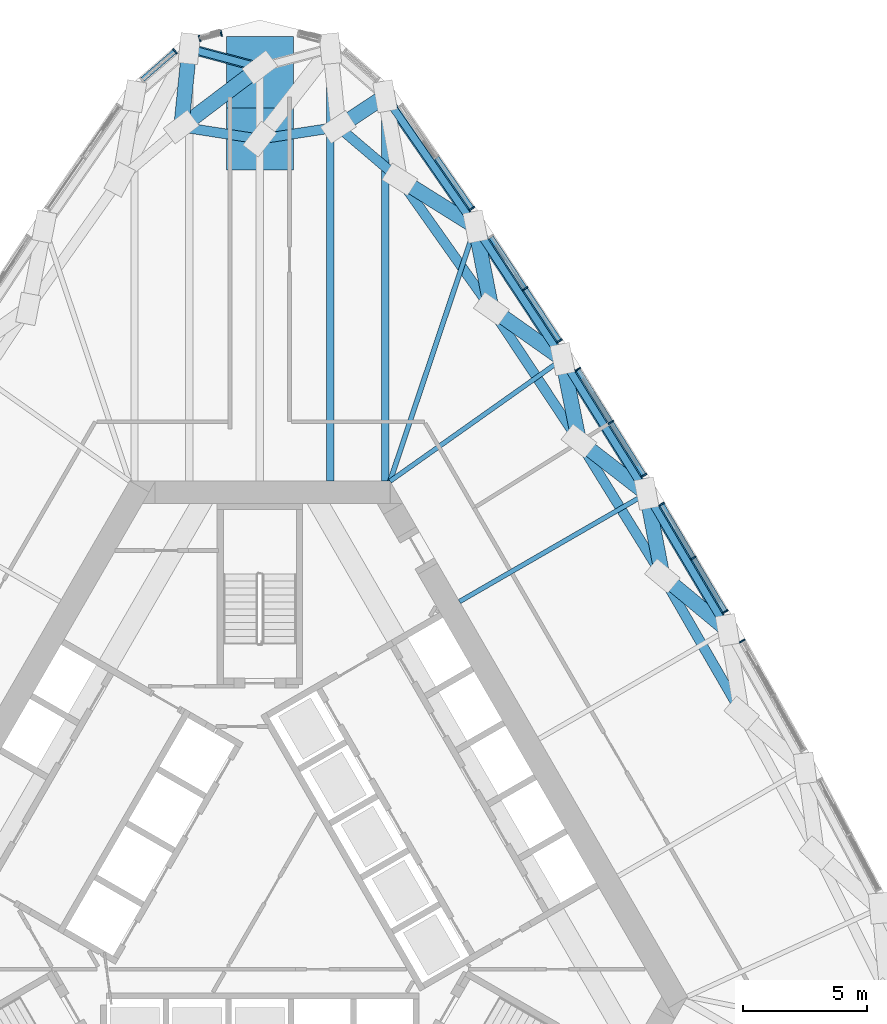
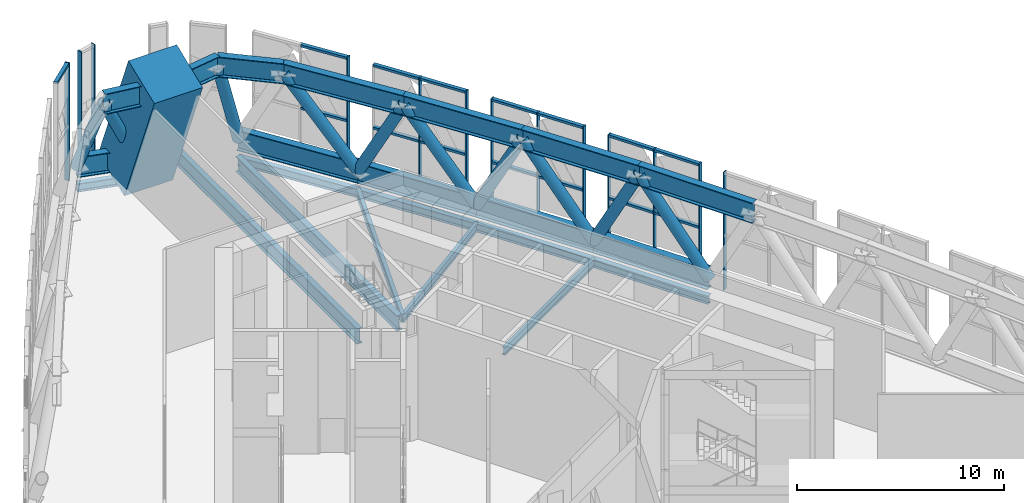
# One storey, part 9 of 33: 51 members, 10 beams, 2 elements without a shape of their own.
"""IFC4 building model written with IfcOpenShell, lengths in metres."""

from ifc_helpers import new_model, si_unit, direction, frame, origin, origin_2d, place, context, subcontext, project, spatial, rectangle, hollow_circle, i_section, extrude, material, material_profile, profile_set, type_object, element, aggregate, save


model = new_model("IFC4")

# Units and contexts
model_context = context("Model", 3, precision=1e-05, world=origin(), true_north=direction((0.0, 1.0)))
body_context = subcontext(model_context, "Body", "Model", "MODEL_VIEW")
ifc_project = project(units=[si_unit("LENGTHUNIT", "METRE"), si_unit("AREAUNIT", "SQUARE_METRE"), si_unit("VOLUMEUNIT", "CUBIC_METRE"), si_unit("PLANEANGLEUNIT", "RADIAN"), si_unit("MASSUNIT", "GRAM", prefix="KILO")], contexts=[model_context])

# Site, building, storey
site_placement = place(None, origin())
site = spatial("IfcSite", under=ifc_project, at=site_placement, CompositionType="ELEMENT")
building_placement = place(site_placement, origin())
building = spatial("IfcBuilding", under=site, at=building_placement, Name="Mestral Congress Tower", CompositionType="ELEMENT")
storey_placement = place(building_placement, frame((0.0, 0.0, 134.39990234375)))
storey = spatial("IfcBuildingStorey", under=building, at=storey_placement, Name="L32", CompositionType="ELEMENT", Elevation=134.39990234375)

# Members
ifc_material_1 = material(Name="Steel S355", Category="steel")
ifc_material_profile_1 = material_profile(ifc_material_1, i_section(OverallWidth=0.39990234375, OverallDepth=1.199951171875, WebThickness=0.02001953125, FlangeThickness=0.0400390625, FilletRadius=0.010009765625, at=origin_2d()), Name="WPG 1200")
ifc_profile_set_1 = profile_set([ifc_material_profile_1], Name="Steel S355")
member_type_1 = type_object("IfcMemberType", Name="Belt chord WPG 1200 S355", PredefinedType="CHORD", material=ifc_profile_set_1)
for number, where, z_axis, x_axis, name in (
    (1, (18.873779296875, 10.896728515625, 0.60009765625), (-0.510062734342, 0.860137202448, 0.0), (-0.860137202448, -0.510062734342, 0.0), "MB-L32-BC2-E04"),
    (2, (15.609375, 16.401611328125, 0.60009765625), (-0.530067519081, 0.847955438225, 0.0), (-0.847955438225, -0.530067519081, 0.0), "MB-L32-BC2-E05"),
    (3, (12.217041015625, 21.828369140625, 0.60009765625), (-0.549751718, 0.835328108324, 0.0), (-0.835328108324, -0.549751718, 0.0), "MB-L32-BC2-E06"),
    (4, (8.69873046875, 27.17431640625, 0.60009765625), (-0.569132611813, 0.822245748041, 0.0), (-0.822245748041, -0.569132611813, 0.0), "MB-L32-BC2-E07"),
):
    element("IfcMember", number, at=place(storey_placement, frame(where, z_axis=z_axis, x_axis=x_axis)), inside=storey, type_object=member_type_1, Name=name, PredefinedType="CHORD", context=body_context, shape_type="SweptSolid", body=[
        extrude(i_section(OverallWidth=0.39990234375, OverallDepth=1.199951171875, WebThickness=0.02001953125, FlangeThickness=0.0400390625, FilletRadius=0.010009765625, at=origin_2d()), origin(), (0.0, 0.0, 1.0), 6.39990234375),
    ])
member_1_placement = place(storey_placement, frame((0.0, 33.598388671875, 0.60009765625), z_axis=(-0.96626107679, 0.257564616128, 0.0), x_axis=(-0.257564616128, -0.96626107679, 0.0)))
element("IfcMember", 5, at=member_1_placement, inside=storey, type_object=member_type_1, Name="MB-L32-BC2-N", PredefinedType="CHORD", context=body_context, shape_type="SweptSolid", body=[
    extrude(i_section(OverallWidth=0.39990234375, OverallDepth=1.199951171875, WebThickness=0.02001953125, FlangeThickness=0.0400390625, FilletRadius=0.010009765625, at=origin_2d()), origin(), (0.0, 0.0, 1.0), 2.945068359375),
])
for number, where, z_axis, x_axis, name in (
    (6, (19.447265625, 7.532958984375, 6.35009765625), (-0.500016352561, 0.866015962423, 0.0), (-0.866015962423, -0.500016352561, 0.0), "MB-L32-TC2-E03"),
    (7, (16.247314453125, 13.0751953125, 6.35009765625), (-0.52618387331, 0.850370819977, 0.0), (-0.850370819977, -0.52618387331, 0.0), "MB-L32-TC2-E04"),
):
    element("IfcMember", number, at=place(storey_placement, frame(where, z_axis=z_axis, x_axis=x_axis)), inside=storey, type_object=member_type_1, Name=name, PredefinedType="CHORD", context=body_context, shape_type="SweptSolid", body=[
        extrude(i_section(OverallWidth=0.39990234375, OverallDepth=1.199951171875, WebThickness=0.02001953125, FlangeThickness=0.0400390625, FilletRadius=0.010009765625, at=origin_2d()), origin(), (0.0, 0.0, 1.0), 6.399658203125),
    ])
for number, where, z_axis, x_axis, name in (
    (8, (12.8798828125, 18.517333984375, 6.35009765625), (-0.551915276836, 0.833900190188, 0.0), (-0.833900190188, -0.551915276836, 0.0), "MB-L32-TC2-E05"),
    (9, (9.34765625, 23.854248046875, 6.35009765625), (-0.577102484984, 0.816671734435, 0.0), (-0.816671734435, -0.577102484984, 0.0), "MB-L32-TC2-E06"),
):
    element("IfcMember", number, at=place(storey_placement, frame(where, z_axis=z_axis, x_axis=x_axis)), inside=storey, type_object=member_type_1, Name=name, PredefinedType="CHORD", context=body_context, shape_type="SweptSolid", body=[
        extrude(i_section(OverallWidth=0.39990234375, OverallDepth=1.199951171875, WebThickness=0.02001953125, FlangeThickness=0.0400390625, FilletRadius=0.010009765625, at=origin_2d()), origin(), (0.0, 0.0, 1.0), 6.39990234375),
    ])
member_2_placement = place(storey_placement, frame((5.654296875, 29.080810546875, 6.35009765625), z_axis=(-0.761440312553, 0.648235027147, 0.0), x_axis=(-0.648235027147, -0.761440312553, 0.0)))
element("IfcMember", 10, at=member_2_placement, inside=storey, type_object=member_type_1, Name="MB-L32-TC2-E07", PredefinedType="CHORD", context=body_context, shape_type="SweptSolid", body=[
    extrude(i_section(OverallWidth=0.39990234375, OverallDepth=1.199951171875, WebThickness=0.02001953125, FlangeThickness=0.0400390625, FilletRadius=0.010009765625, at=origin_2d()), origin(), (0.0, 0.0, 1.0), 3.2607421875),
])
for number, where, z_axis, x_axis, name in (
    (11, (3.17138671875, 31.194580078125, 6.35009765625), (-0.98825089414, -0.152840342289, 0.0), (0.152840342289, -0.98825089414, 0.0), "MB-L32-TC2-N1"),
    (12, (0.0, 30.7041015625, 6.35009765625), (-0.98825089414, 0.152840342289, 0.0), (-0.152840342289, -0.98825089414, 0.0), "MB-L32-TC2-N"),
):
    element("IfcMember", number, at=place(storey_placement, frame(where, z_axis=z_axis, x_axis=x_axis)), inside=storey, type_object=member_type_1, Name=name, PredefinedType="CHORD", context=body_context, shape_type="SweptSolid", body=[
        extrude(i_section(OverallWidth=0.39990234375, OverallDepth=1.199951171875, WebThickness=0.02001953125, FlangeThickness=0.0400390625, FilletRadius=0.010009765625, at=origin_2d()), origin(), (0.0, 0.0, 1.0), 3.208984375),
    ])
ifc_material_profile_2 = material_profile(ifc_material_1, hollow_circle(Radius=0.304931640625, WallThickness=0.02490234375, at=origin_2d()), Name="CHS 610x25")
ifc_profile_set_2 = profile_set([ifc_material_profile_2], Name="Steel S355")
member_type_2 = type_object("IfcMemberType", Name="Belt diagonal CHS 610x25 S355", PredefinedType="BRACE", material=ifc_profile_set_2)
member_3_placement = place(storey_placement, frame((18.873779296875, 10.896728515625, 0.60009765625), z_axis=(-0.392813211233, 0.325810771875, 0.859968093601), x_axis=(-0.638409279387, -0.769697078072, 0.0)))
element("IfcMember", 13, at=member_3_placement, inside=storey, type_object=member_type_2, Name="MD-L32-BD2-E04.E04", PredefinedType="BRACE", context=body_context, shape_type="SweptSolid", body=[
    extrude(hollow_circle(Radius=0.304931640625, WallThickness=0.02490234375, at=origin_2d()), origin(), (0.0, 0.0, 1.0), 6.686279296875),
])
member_4_placement = place(storey_placement, frame((15.609375, 16.401611328125, 0.60009765625), z_axis=(0.095594107182, -0.498457600595, 0.86162740618), x_axis=(0.982102461883, 0.188347429938, 0.0)))
element("IfcMember", 14, at=member_4_placement, inside=storey, type_object=member_type_2, Name="MD-L32-BD2-E05.E04", PredefinedType="BRACE", context=body_context, shape_type="SweptSolid", body=[
    extrude(hollow_circle(Radius=0.304931640625, WallThickness=0.02490234375, at=origin_2d()), origin(), (0.0, 0.0, 1.0), 6.67333984375),
])
member_5_placement = place(storey_placement, frame((15.609375, 16.401611328125, 0.60009765625), z_axis=(-0.406938818864, 0.315432182851, 0.857265032369), x_axis=(-0.612637913431, -0.790363705535, 0.0)))
element("IfcMember", 15, at=member_5_placement, inside=storey, type_object=member_type_2, Name="MD-L32-BD2-E05.E05", PredefinedType="BRACE", context=body_context, shape_type="SweptSolid", body=[
    extrude(hollow_circle(Radius=0.304931640625, WallThickness=0.02490234375, at=origin_2d()), origin(), (0.0, 0.0, 1.0), 6.707275390625),
])
member_6_placement = place(storey_placement, frame((12.217041015625, 21.828369140625, 0.60009765625), z_axis=(0.099403494143, -0.496541505547, 0.862302428746), x_axis=(0.980544508593, 0.196296884002, 0.0)))
element("IfcMember", 16, at=member_6_placement, inside=storey, type_object=member_type_2, Name="MD-L32-BD2-E06.E05", PredefinedType="BRACE", context=body_context, shape_type="SweptSolid", body=[
    extrude(hollow_circle(Radius=0.304931640625, WallThickness=0.02490234375, at=origin_2d()), origin(), (0.0, 0.0, 1.0), 6.668212890625),
])
member_7_placement = place(storey_placement, frame((12.217041015625, 21.828369140625, 0.60009765625), z_axis=(-0.425853873776, 0.300666676133, 0.853374494611), x_axis=(-0.576765061499, -0.816910070836, 0.0)))
element("IfcMember", 17, at=member_7_placement, inside=storey, type_object=member_type_2, Name="MD-L32-BD2-E06.E06", PredefinedType="BRACE", context=body_context, shape_type="SweptSolid", body=[
    extrude(hollow_circle(Radius=0.304931640625, WallThickness=0.02490234375, at=origin_2d()), origin(), (0.0, 0.0, 1.0), 6.738037109375),
])
member_8_placement = place(storey_placement, frame((8.69873046875, 27.17431640625, 0.60009765625), z_axis=(0.097271028832, -0.497663175726, 0.861898898059), x_axis=(0.981429001079, 0.191825743427, 0.0)))
element("IfcMember", 18, at=member_8_placement, inside=storey, type_object=member_type_2, Name="MD-L32-BD2-E07.E06", PredefinedType="BRACE", context=body_context, shape_type="SweptSolid", body=[
    extrude(hollow_circle(Radius=0.304931640625, WallThickness=0.02490234375, at=origin_2d()), origin(), (0.0, 0.0, 1.0), 6.67138671875),
])
member_9_placement = place(storey_placement, frame((8.69873046875, 27.17431640625, 0.60009765625), z_axis=(-0.449044223228, 0.281201791434, 0.848106619524), x_axis=(-0.530744066889, -0.847532144206, 0.0)))
element("IfcMember", 19, at=member_9_placement, inside=storey, type_object=member_type_2, Name="MD-L32-BD2-E07.E07", PredefinedType="BRACE", context=body_context, shape_type="SweptSolid", body=[
    extrude(hollow_circle(Radius=0.304931640625, WallThickness=0.02490234375, at=origin_2d()), origin(), (0.0, 0.0, 1.0), 6.77978515625),
])
member_10_placement = place(storey_placement, frame((5.056396484375, 32.4365234375, 0.60009765625), z_axis=(-0.30515447923, -0.2010517855, 0.930837753507), x_axis=(0.550174550979, -0.835049677238, 0.0)))
element("IfcMember", 20, at=member_10_placement, inside=storey, type_object=member_type_2, Name="MD-L32-BD2-E08.N1", PredefinedType="BRACE", context=body_context, shape_type="SweptSolid", body=[
    extrude(hollow_circle(Radius=0.304931640625, WallThickness=0.02490234375, at=origin_2d()), origin(), (0.0, 0.0, 1.0), 6.17724609375),
])
member_11_placement = place(storey_placement, frame((0.0, 33.598388671875, 0.60009765625), z_axis=(-0.453525260385, -0.343757483738, 0.822280749238), x_axis=(0.604056109573, -0.796941789899, 0.0)))
element("IfcMember", 21, at=member_11_placement, inside=storey, type_object=member_type_2, Name="MD-L32-BD2-N.N3", PredefinedType="BRACE", context=body_context, shape_type="SweptSolid", body=[
    extrude(hollow_circle(Radius=0.304931640625, WallThickness=0.02490234375, at=origin_2d()), origin(), (0.0, 0.0, 1.0), 6.99267578125),
])
member_12_placement = place(storey_placement, frame((-2.845703125, 34.35693359375, 0.60009765625), z_axis=(-0.049568940707, -0.48130921213, 0.875148194557), x_axis=(0.994738581282, -0.102445863308, 0.0)))
element("IfcMember", 22, at=member_12_placement, inside=storey, type_object=member_type_2, Name="MD-L32-BD2-N3.N3", PredefinedType="BRACE", context=body_context, shape_type="SweptSolid", body=[
    extrude(hollow_circle(Radius=0.304931640625, WallThickness=0.02490234375, at=origin_2d()), origin(), (0.0, 0.0, 1.0), 6.5703125),
])

# Curtain wall, members
ifc_material_2 = material(Name="Clear low-emissivity double glazing", Category="glass")
curtain_wall_type = type_object("IfcCurtainWallType", Name="Facade sky lobby curtain wall", PredefinedType="USERDEFINED", material=ifc_material_2)
placement = place(storey_placement, origin())
curtain_wall_1 = element("IfcCurtainWall", 23, at=placement, inside=storey, type_object=curtain_wall_type, Name="Facade sky lobby curtain wall face 2", ObjectType="CURTAIN WALL", PredefinedType="USERDEFINED")
ifc_material_3 = material(Name="Anodised aluminium", Category="aluminium")
ifc_material_profile_3 = material_profile(ifc_material_3, rectangle(XDim=0.25, YDim=0.06005859375, at=origin_2d()), Name="CW1 mullion 250 x 60")
ifc_profile_set_3 = profile_set([ifc_material_profile_3], Name="Anodised aluminium")
member_type_3 = type_object("IfcMemberType", Name="Facade sky lobby curtain wall mullion", PredefinedType="MULLION", material=ifc_profile_set_3)
member_13_placement = place(storey_placement, frame((19.468505859375, 10.451171875, 0.0), z_axis=(0.0, 0.0, 1.0), x_axis=(0.871814622705, 0.489835955844, 0.0)))
member_13 = element("IfcMember", 24, at=member_13_placement, type_object=member_type_3, Name="Facade sky lobby curtain wall mullion", PredefinedType="MULLION", context=body_context, shape_type="SweptSolid", body=[
    extrude(rectangle(XDim=0.25, YDim=0.06005859375, at=origin_2d()), origin(), (0.0, 0.0, 1.0), 6.9501953125),
])
member_14_placement = place(storey_placement, frame((18.78515625, 11.634521484375, 0.0), z_axis=(0.0, 0.0, 1.0), x_axis=(0.860118583084, 0.510094131542, 0.0)))
member_14 = element("IfcMember", 25, at=member_14_placement, type_object=member_type_3, Name="Facade sky lobby curtain wall mullion", PredefinedType="MULLION", context=body_context, shape_type="SweptSolid", body=[
    extrude(rectangle(XDim=0.25, YDim=0.06005859375, at=origin_2d()), origin(), (0.0, 0.0, 1.0), 6.9501953125),
])
member_15_placement = place(storey_placement, frame((17.49951171875, 13.802001953125, 0.0), z_axis=(0.0, 0.0, 1.0), x_axis=(0.860118583084, 0.510094131542, 0.0)))
member_15 = element("IfcMember", 26, at=member_15_placement, type_object=member_type_3, Name="Facade sky lobby curtain wall mullion", PredefinedType="MULLION", context=body_context, shape_type="SweptSolid", body=[
    extrude(rectangle(XDim=0.25, YDim=0.06005859375, at=origin_2d()), origin(), (0.0, 0.0, 1.0), 6.9501953125),
])
member_16_placement = place(storey_placement, frame((16.214111328125, 15.9697265625, 0.0), z_axis=(0.0, 0.0, 1.0), x_axis=(0.860118583084, 0.510094131542, 0.0)))
member_16 = element("IfcMember", 27, at=member_16_placement, type_object=member_type_3, Name="Facade sky lobby curtain wall mullion", PredefinedType="MULLION", context=body_context, shape_type="SweptSolid", body=[
    extrude(rectangle(XDim=0.25, YDim=0.06005859375, at=origin_2d()), origin(), (0.0, 0.0, 1.0), 6.9501953125),
])
member_17_placement = place(storey_placement, frame((15.50341796875, 17.13671875, 0.0), z_axis=(0.0, 0.0, 1.0), x_axis=(0.847961145686, 0.530058388677, 0.0)))
member_17 = element("IfcMember", 28, at=member_17_placement, type_object=member_type_3, Name="Facade sky lobby curtain wall mullion", PredefinedType="MULLION", context=body_context, shape_type="SweptSolid", body=[
    extrude(rectangle(XDim=0.25, YDim=0.06005859375, at=origin_2d()), origin(), (0.0, 0.0, 1.0), 6.9501953125),
])
member_18_placement = place(storey_placement, frame((14.16748046875, 19.27392578125, 0.0), z_axis=(0.0, 0.0, 1.0), x_axis=(0.847961145686, 0.530058388677, 0.0)))
member_18 = element("IfcMember", 29, at=member_18_placement, type_object=member_type_3, Name="Facade sky lobby curtain wall mullion", PredefinedType="MULLION", context=body_context, shape_type="SweptSolid", body=[
    extrude(rectangle(XDim=0.25, YDim=0.06005859375, at=origin_2d()), origin(), (0.0, 0.0, 1.0), 6.9501953125),
])
member_19_placement = place(storey_placement, frame((12.831787109375, 21.410888671875, 0.0), z_axis=(0.0, 0.0, 1.0), x_axis=(0.847961145686, 0.530058388677, 0.0)))
member_19 = element("IfcMember", 30, at=member_19_placement, type_object=member_type_3, Name="Facade sky lobby curtain wall mullion", PredefinedType="MULLION", context=body_context, shape_type="SweptSolid", body=[
    extrude(rectangle(XDim=0.25, YDim=0.06005859375, at=origin_2d()), origin(), (0.0, 0.0, 1.0), 6.9501953125),
])
member_20_placement = place(storey_placement, frame((12.093994140625, 22.56103515625, 0.0), z_axis=(0.0, 0.0, 1.0), x_axis=(0.835326011384, 0.549754904213, 0.0)))
member_20 = element("IfcMember", 31, at=member_20_placement, type_object=member_type_3, Name="Facade sky lobby curtain wall mullion", PredefinedType="MULLION", context=body_context, shape_type="SweptSolid", body=[
    extrude(rectangle(XDim=0.25, YDim=0.06005859375, at=origin_2d()), origin(), (0.0, 0.0, 1.0), 6.9501953125),
])
member_21_placement = place(storey_placement, frame((10.70849609375, 24.666259765625, 0.0), z_axis=(0.0, 0.0, 1.0), x_axis=(0.835326011384, 0.549754904213, 0.0)))
member_21 = element("IfcMember", 32, at=member_21_placement, type_object=member_type_3, Name="Facade sky lobby curtain wall mullion", PredefinedType="MULLION", context=body_context, shape_type="SweptSolid", body=[
    extrude(rectangle(XDim=0.25, YDim=0.06005859375, at=origin_2d()), origin(), (0.0, 0.0, 1.0), 6.9501953125),
])
member_22_placement = place(storey_placement, frame((8.55859375, 27.90380859375, 0.0), z_axis=(0.0, 0.0, 1.0), x_axis=(0.822242393198, 0.569137458641, 0.0)))
member_22 = element("IfcMember", 33, at=member_22_placement, type_object=member_type_3, Name="Facade sky lobby curtain wall mullion", PredefinedType="MULLION", context=body_context, shape_type="SweptSolid", body=[
    extrude(rectangle(XDim=0.25, YDim=0.06005859375, at=origin_2d()), origin(), (0.0, 0.0, 1.0), 6.9501953125),
])

curtain_wall_2 = element("IfcCurtainWall", 34, at=placement, inside=storey, type_object=curtain_wall_type, Name="Facade sky lobby curtain wall corner 2", ObjectType="CURTAIN WALL", PredefinedType="USERDEFINED")
member_23_placement = place(storey_placement, frame((-1.56298828125, 34.977294921875, 0.0), z_axis=(0.0, 0.0, 1.0), x_axis=(-0.236153035314, 0.971715876124, 0.0)))
member_23 = element("IfcMember", 35, at=member_23_placement, type_object=member_type_3, Name="Facade sky lobby curtain wall mullion", PredefinedType="MULLION", context=body_context, shape_type="SweptSolid", body=[
    extrude(rectangle(XDim=0.25, YDim=0.06005859375, at=origin_2d()), origin(), (0.0, 0.0, 1.0), 6.9501953125),
])
member_24_placement = place(storey_placement, frame((-2.425048828125, 34.767822265625, 0.0), z_axis=(0.0, 0.0, 1.0), x_axis=(-0.236153035314, 0.971715876124, 0.0)))
member_24 = element("IfcMember", 36, at=member_24_placement, type_object=member_type_3, Name="Facade sky lobby curtain wall mullion", PredefinedType="MULLION", context=body_context, shape_type="SweptSolid", body=[
    extrude(rectangle(XDim=0.25, YDim=0.06005859375, at=origin_2d()), origin(), (0.0, 0.0, 1.0), 6.9501953125),
])
member_25_placement = place(storey_placement, frame((-3.424072265625, 34.251708984375, 0.0), z_axis=(0.0, 0.0, 1.0), x_axis=(-0.655810039344, 0.754925951532, 0.0)))
member_25 = element("IfcMember", 37, at=member_25_placement, type_object=member_type_3, Name="Facade sky lobby curtain wall mullion", PredefinedType="MULLION", context=body_context, shape_type="SweptSolid", body=[
    extrude(rectangle(XDim=0.25, YDim=0.06005859375, at=origin_2d()), origin(), (0.0, 0.0, 1.0), 6.9501953125),
])

# Member
ifc_material_profile_4 = material_profile(ifc_material_3, rectangle(XDim=0.199951171875, YDim=0.139892578125, at=origin_2d()), Name="CW1 transom 200 x 140")
ifc_profile_set_4 = profile_set([ifc_material_profile_4], Name="Anodised aluminium")
member_type_4 = type_object("IfcMemberType", Name="Facade sky lobby curtain wall transom", PredefinedType="USERDEFINED", material=ifc_profile_set_4)
member_26_placement = place(storey_placement, frame((18.77001953125, 11.660400390625, 3.2001953125), z_axis=(-0.510169565479, 0.860073842445, 0.0), x_axis=(-0.860073842445, -0.510169565479, 0.0)))
member_26 = element("IfcMember", 38, at=member_26_placement, type_object=member_type_4, Name="Facade sky lobby curtain wall transom", ObjectType="TRANSOM", PredefinedType="USERDEFINED", context=body_context, shape_type="SweptSolid", body=[
    extrude(rectangle(XDim=0.199951171875, YDim=0.139892578125, at=origin_2d()), origin(), (0.0, 0.0, 1.0), 2.460205078125),
])

member_27_placement = place(storey_placement, frame((18.77001953125, 11.660400390625, 6.880126953125), z_axis=(-0.510169565479, 0.860073842445, 0.0), x_axis=(-0.860073842445, -0.510169565479, 0.0)))
member_27 = element("IfcMember", 39, at=member_27_placement, type_object=member_type_4, Name="Facade sky lobby curtain wall transom", ObjectType="TRANSOM", PredefinedType="USERDEFINED", context=body_context, shape_type="SweptSolid", body=[
    extrude(rectangle(XDim=0.199951171875, YDim=0.139892578125, at=origin_2d()), origin(), (0.0, 0.0, 1.0), 2.460205078125),
])

member_28_placement = place(storey_placement, frame((17.484375, 13.827880859375, 3.2001953125), z_axis=(-0.510052614777, 0.860143203286, 0.0), x_axis=(-0.860143203286, -0.510052614777, 0.0)))
member_28 = element("IfcMember", 40, at=member_28_placement, type_object=member_type_4, Name="Facade sky lobby curtain wall transom", ObjectType="TRANSOM", PredefinedType="USERDEFINED", context=body_context, shape_type="SweptSolid", body=[
    extrude(rectangle(XDim=0.199951171875, YDim=0.139892578125, at=origin_2d()), origin(), (0.0, 0.0, 1.0), 2.460205078125),
])

member_29_placement = place(storey_placement, frame((17.484375, 13.827880859375, 6.880126953125), z_axis=(-0.510052614777, 0.860143203286, 0.0), x_axis=(-0.860143203286, -0.510052614777, 0.0)))
member_29 = element("IfcMember", 41, at=member_29_placement, type_object=member_type_4, Name="Facade sky lobby curtain wall transom", ObjectType="TRANSOM", PredefinedType="USERDEFINED", context=body_context, shape_type="SweptSolid", body=[
    extrude(rectangle(XDim=0.199951171875, YDim=0.139892578125, at=origin_2d()), origin(), (0.0, 0.0, 1.0), 2.460205078125),
])

member_30_placement = place(storey_placement, frame((15.487548828125, 17.162353515625, 3.2001953125), z_axis=(-0.530025700323, 0.847981578218, 0.0), x_axis=(-0.847981578218, -0.530025700323, 0.0)))
member_30 = element("IfcMember", 42, at=member_30_placement, type_object=member_type_4, Name="Facade sky lobby curtain wall transom", ObjectType="TRANSOM", PredefinedType="USERDEFINED", context=body_context, shape_type="SweptSolid", body=[
    extrude(rectangle(XDim=0.199951171875, YDim=0.139892578125, at=origin_2d()), origin(), (0.0, 0.0, 1.0), 2.460205078125),
])

member_31_placement = place(storey_placement, frame((15.487548828125, 17.162353515625, 6.880126953125), z_axis=(-0.530025700323, 0.847981578218, 0.0), x_axis=(-0.847981578218, -0.530025700323, 0.0)))
member_31 = element("IfcMember", 43, at=member_31_placement, type_object=member_type_4, Name="Facade sky lobby curtain wall transom", ObjectType="TRANSOM", PredefinedType="USERDEFINED", context=body_context, shape_type="SweptSolid", body=[
    extrude(rectangle(XDim=0.199951171875, YDim=0.139892578125, at=origin_2d()), origin(), (0.0, 0.0, 1.0), 2.460205078125),
])

member_32_placement = place(storey_placement, frame((14.151611328125, 19.29931640625, 3.2001953125), z_axis=(-0.530025700323, 0.847981578218, 0.0), x_axis=(-0.847981578218, -0.530025700323, 0.0)))
member_32 = element("IfcMember", 44, at=member_32_placement, type_object=member_type_4, Name="Facade sky lobby curtain wall transom", ObjectType="TRANSOM", PredefinedType="USERDEFINED", context=body_context, shape_type="SweptSolid", body=[
    extrude(rectangle(XDim=0.199951171875, YDim=0.139892578125, at=origin_2d()), origin(), (0.0, 0.0, 1.0), 2.460205078125),
])

member_33_placement = place(storey_placement, frame((14.151611328125, 19.29931640625, 6.880126953125), z_axis=(-0.530025700323, 0.847981578218, 0.0), x_axis=(-0.847981578218, -0.530025700323, 0.0)))
member_33 = element("IfcMember", 45, at=member_33_placement, type_object=member_type_4, Name="Facade sky lobby curtain wall transom", ObjectType="TRANSOM", PredefinedType="USERDEFINED", context=body_context, shape_type="SweptSolid", body=[
    extrude(rectangle(XDim=0.199951171875, YDim=0.139892578125, at=origin_2d()), origin(), (0.0, 0.0, 1.0), 2.460205078125),
])

member_34_placement = place(storey_placement, frame((12.077392578125, 22.586181640625, 3.2001953125), z_axis=(-0.549789644059, 0.835303146939, 0.0), x_axis=(-0.835303146939, -0.549789644059, 0.0)))
member_34 = element("IfcMember", 46, at=member_34_placement, type_object=member_type_4, Name="Facade sky lobby curtain wall transom", ObjectType="TRANSOM", PredefinedType="USERDEFINED", context=body_context, shape_type="SweptSolid", body=[
    extrude(rectangle(XDim=0.199951171875, YDim=0.139892578125, at=origin_2d()), origin(), (0.0, 0.0, 1.0), 2.460205078125),
])

member_35_placement = place(storey_placement, frame((12.077392578125, 22.586181640625, 6.880126953125), z_axis=(-0.549789644059, 0.835303146939, 0.0), x_axis=(-0.835303146939, -0.549789644059, 0.0)))
member_35 = element("IfcMember", 47, at=member_35_placement, type_object=member_type_4, Name="Facade sky lobby curtain wall transom", ObjectType="TRANSOM", PredefinedType="USERDEFINED", context=body_context, shape_type="SweptSolid", body=[
    extrude(rectangle(XDim=0.199951171875, YDim=0.139892578125, at=origin_2d()), origin(), (0.0, 0.0, 1.0), 2.460205078125),
])

member_36_placement = place(storey_placement, frame((10.69189453125, 24.691162109375, 3.2001953125), z_axis=(-0.549674824172, 0.835378709132, 0.0), x_axis=(-0.835378709132, -0.549674824172, 0.0)))
member_36 = element("IfcMember", 48, at=member_36_placement, type_object=member_type_4, Name="Facade sky lobby curtain wall transom", ObjectType="TRANSOM", PredefinedType="USERDEFINED", context=body_context, shape_type="SweptSolid", body=[
    extrude(rectangle(XDim=0.199951171875, YDim=0.139892578125, at=origin_2d()), origin(), (0.0, 0.0, 1.0), 2.460205078125),
])

member_37_placement = place(storey_placement, frame((10.69189453125, 24.691162109375, 6.880126953125), z_axis=(-0.549674824172, 0.835378709132, 0.0), x_axis=(-0.835378709132, -0.549674824172, 0.0)))
member_37 = element("IfcMember", 49, at=member_37_placement, type_object=member_type_4, Name="Facade sky lobby curtain wall transom", ObjectType="TRANSOM", PredefinedType="USERDEFINED", context=body_context, shape_type="SweptSolid", body=[
    extrude(rectangle(XDim=0.199951171875, YDim=0.139892578125, at=origin_2d()), origin(), (0.0, 0.0, 1.0), 2.460205078125),
])

member_38_placement = place(storey_placement, frame((8.54150390625, 27.928466796875, 3.2001953125), z_axis=(-0.569137831011, 0.822242135452, 0.0), x_axis=(-0.822242135452, -0.569137831011, 0.0)))
member_38 = element("IfcMember", 50, at=member_38_placement, type_object=member_type_4, Name="Facade sky lobby curtain wall transom", ObjectType="TRANSOM", PredefinedType="USERDEFINED", context=body_context, shape_type="SweptSolid", body=[
    extrude(rectangle(XDim=0.199951171875, YDim=0.139892578125, at=origin_2d()), origin(), (0.0, 0.0, 1.0), 2.463623046875),
])

member_39_placement = place(storey_placement, frame((8.54150390625, 27.928466796875, 6.880126953125), z_axis=(-0.569137831011, 0.822242135452, 0.0), x_axis=(-0.822242135452, -0.569137831011, 0.0)))
member_39 = element("IfcMember", 51, at=member_39_placement, type_object=member_type_4, Name="Facade sky lobby curtain wall transom", ObjectType="TRANSOM", PredefinedType="USERDEFINED", context=body_context, shape_type="SweptSolid", body=[
    extrude(rectangle(XDim=0.199951171875, YDim=0.139892578125, at=origin_2d()), origin(), (0.0, 0.0, 1.0), 2.463623046875),
])

aggregate(curtain_wall_1, [member_13, member_14, member_15, member_16, member_26, member_27, member_28, member_29, member_17, member_18, member_19, member_30, member_31, member_32, member_33, member_20, member_21, member_34, member_35, member_36, member_37, member_22, member_38, member_39])

member_40_placement = place(storey_placement, frame((-3.44677734375, 34.232177734375, 6.880126953125), z_axis=(-0.754868375989, -0.655876310695, 0.0), x_axis=(0.655876310695, -0.754868375989, 0.0)))
member_40 = element("IfcMember", 52, at=member_40_placement, type_object=member_type_4, Name="Facade sky lobby curtain wall transom", ObjectType="TRANSOM", PredefinedType="USERDEFINED", context=body_context, shape_type="SweptSolid", body=[
    extrude(rectangle(XDim=0.199951171875, YDim=0.139892578125, at=origin_2d()), origin(), (0.0, 0.0, 1.0), 1.69921875),
])

aggregate(curtain_wall_2, [member_23, member_24, member_25, member_40])

# Beams
ifc_material_profile_5 = material_profile(ifc_material_1, i_section(OverallWidth=0.300048828125, OverallDepth=0.89990234375, WebThickness=0.0185546875, FlangeThickness=0.034912109375, FilletRadius=0.030029296875, at=origin_2d()), Name="HEB 900")
ifc_profile_set_5 = profile_set([ifc_material_profile_5], Name="Steel S355")
beam_type_1 = type_object("IfcBeamType", Name="Floor beam HEB 900 S355", PredefinedType="BEAM", material=ifc_profile_set_5)
beam_1_placement = place(storey_placement, frame((5.056396484375, 32.4365234375, -0.849853515625), z_axis=(0.0, -1.0, 0.0), x_axis=(1.0, 0.0, 0.0)))
element("IfcBeam", 53, at=beam_1_placement, inside=storey, type_object=beam_type_1, Name="BM-L32-RB2-E08", PredefinedType="BEAM", context=body_context, shape_type="SweptSolid", body=[
    extrude(i_section(OverallWidth=0.300048828125, OverallDepth=0.89990234375, WebThickness=0.0185546875, FlangeThickness=0.034912109375, FilletRadius=0.030029296875, at=origin_2d()), origin(), (0.0, 0.0, 1.0), 15.53662109375),
])
beam_2_placement = place(storey_placement, frame((2.845703125, 34.35693359375, -0.849853515625), z_axis=(0.0, -1.0, 0.0), x_axis=(1.0, 0.0, 0.0)))
element("IfcBeam", 54, at=beam_2_placement, inside=storey, type_object=beam_type_1, Name="BM-L32-RB2-N1", PredefinedType="BEAM", context=body_context, shape_type="SweptSolid", body=[
    extrude(i_section(OverallWidth=0.300048828125, OverallDepth=0.89990234375, WebThickness=0.0185546875, FlangeThickness=0.034912109375, FilletRadius=0.030029296875, at=origin_2d()), origin(), (0.0, 0.0, 1.0), 17.45703125),
])
ifc_material_profile_6 = material_profile(ifc_material_1, i_section(OverallWidth=0.18994140625, OverallDepth=0.449951171875, WebThickness=0.009521484375, FlangeThickness=0.0146484375, FilletRadius=0.02099609375, at=origin_2d()), Name="IPE 450")
ifc_profile_set_6 = profile_set([ifc_material_profile_6], Name="Steel S355")
beam_type_2 = type_object("IfcBeamType", Name="Floor beam IPE 450 S355", PredefinedType="BEAM", material=ifc_profile_set_6)
beam_3_placement = place(storey_placement, frame((15.609375, 16.401611328125, -0.625), z_axis=(-0.866016784434, -0.500014928855, 0.0), x_axis=(0.500014928855, -0.866016784434, 0.0)))
element("IfcBeam", 55, at=beam_3_placement, inside=storey, type_object=beam_type_2, Name="BM-L32-RB2-E05", PredefinedType="BEAM", context=body_context, shape_type="SweptSolid", body=[
    extrude(i_section(OverallWidth=0.18994140625, OverallDepth=0.449951171875, WebThickness=0.009521484375, FlangeThickness=0.0146484375, FilletRadius=0.02099609375, at=origin_2d()), origin(), (0.0, 0.0, 1.0), 8.718994140625),
])
beam_4_placement = place(storey_placement, frame((12.217041015625, 21.828369140625, -0.625), z_axis=(-0.816231971472, -0.577724301676, 0.0), x_axis=(0.577724301676, -0.816231971472, 0.0)))
element("IfcBeam", 56, at=beam_4_placement, inside=storey, type_object=beam_type_2, Name="BM-L32-RB2-E06", PredefinedType="BEAM", context=body_context, shape_type="SweptSolid", body=[
    extrude(i_section(OverallWidth=0.18994140625, OverallDepth=0.449951171875, WebThickness=0.009521484375, FlangeThickness=0.0146484375, FilletRadius=0.02099609375, at=origin_2d()), origin(), (0.0, 0.0, 1.0), 8.53076171875),
])
ifc_material_profile_7 = material_profile(ifc_material_1, i_section(OverallWidth=0.199951171875, OverallDepth=0.5, WebThickness=0.01025390625, FlangeThickness=0.01611328125, FilletRadius=0.02099609375, at=origin_2d()), Name="IPE 500")
ifc_profile_set_7 = profile_set([ifc_material_profile_7], Name="Steel S355")
beam_type_3 = type_object("IfcBeamType", Name="Floor beam IPE 500 S355", PredefinedType="BEAM", material=ifc_profile_set_7)
beam_5_placement = place(storey_placement, frame((8.69873046875, 27.17431640625, -0.64990234375), z_axis=(-0.317889950678, -0.948127617601, 0.0), x_axis=(0.948127617601, -0.317889950678, 0.0)))
element("IfcBeam", 57, at=beam_5_placement, inside=storey, type_object=beam_type_3, Name="BM-L32-RB2-E07", PredefinedType="BEAM", context=body_context, shape_type="SweptSolid", body=[
    extrude(i_section(OverallWidth=0.199951171875, OverallDepth=0.5, WebThickness=0.01025390625, FlangeThickness=0.01611328125, FilletRadius=0.02099609375, at=origin_2d()), origin(), (0.0, 0.0, 1.0), 10.83642578125),
])

# Member
ifc_material_4 = material(Name="Concrete C70/85", Category="concrete")
ifc_material_profile_8 = material_profile(ifc_material_4, rectangle(XDim=2.699951171875, YDim=2.699951171875, at=origin_2d()), Name="RC 2700x2700")
ifc_profile_set_8 = profile_set([ifc_material_profile_8], Name="Concrete C70/85")
member_type_5 = type_object("IfcMemberType", Name="Pylon shift strut RC 2700x2700 C70/85", PredefinedType="STRUT", material=ifc_profile_set_8)
member_41_placement = place(storey_placement, frame((0.0, 33.598388671875, 0.0), z_axis=(0.0, -0.372968607416, 0.927843962034), x_axis=(1.0, 0.0, 0.0)))
element("IfcMember", 58, at=member_41_placement, inside=storey, type_object=member_type_5, Name="MS-L32-PS2-N", PredefinedType="STRUT", context=body_context, shape_type="SweptSolid", body=[
    extrude(rectangle(XDim=2.699951171875, YDim=2.699951171875, at=origin_2d()), origin(), (0.0, 0.0, 1.0), 7.76025390625),
])

# Beams
ifc_material_profile_9 = material_profile(ifc_material_1, i_section(OverallWidth=0.300048828125, OverallDepth=0.489990234375, WebThickness=0.011962890625, FlangeThickness=0.02294921875, FilletRadius=0.027099609375, at=origin_2d()), Name="HEA 500")
ifc_profile_set_9 = profile_set([ifc_material_profile_9], Name="Steel S355")
beam_type_4 = type_object("IfcBeamType", Name="Spandrel beam HEA 500 S355", PredefinedType="BEAM", material=ifc_profile_set_9)
for number, where, z_axis, x_axis, name in (
    (59, (18.873779296875, 10.896728515625, -0.64501953125), (-0.510062734342, 0.860137202448, 0.0), (-0.860137202448, -0.510062734342, 0.0), "SP-L32-SB2-E04"),
    (60, (15.609375, 16.401611328125, -0.64501953125), (-0.530067519081, 0.847955438225, 0.0), (-0.847955438225, -0.530067519081, 0.0), "SP-L32-SB2-E05"),
    (61, (12.217041015625, 21.828369140625, -0.64501953125), (-0.549751718, 0.835328108324, 0.0), (-0.835328108324, -0.549751718, 0.0), "SP-L32-SB2-E06"),
    (62, (8.69873046875, 27.17431640625, -0.64501953125), (-0.569132611813, 0.822245748041, 0.0), (-0.822245748041, -0.569132611813, 0.0), "SP-L32-SB2-E07"),
):
    element("IfcBeam", number, at=place(storey_placement, frame(where, z_axis=z_axis, x_axis=x_axis)), inside=storey, type_object=beam_type_4, Name=name, PredefinedType="BEAM", context=body_context, shape_type="SweptSolid", body=[
        extrude(i_section(OverallWidth=0.300048828125, OverallDepth=0.489990234375, WebThickness=0.011962890625, FlangeThickness=0.02294921875, FilletRadius=0.027099609375, at=origin_2d()), origin(), (0.0, 0.0, 1.0), 6.39990234375),
    ])
beam_6_placement = place(storey_placement, frame((0.0, 33.598388671875, -0.64501953125), z_axis=(-0.96626107679, 0.257564616128, 0.0), x_axis=(-0.257564616128, -0.96626107679, 0.0)))
element("IfcBeam", 63, at=beam_6_placement, inside=storey, type_object=beam_type_4, Name="SP-L32-SB2-N", PredefinedType="BEAM", context=body_context, shape_type="SweptSolid", body=[
    extrude(i_section(OverallWidth=0.300048828125, OverallDepth=0.489990234375, WebThickness=0.011962890625, FlangeThickness=0.02294921875, FilletRadius=0.027099609375, at=origin_2d()), origin(), (0.0, 0.0, 1.0), 2.945068359375),
])

save(model, "model.ifc")
